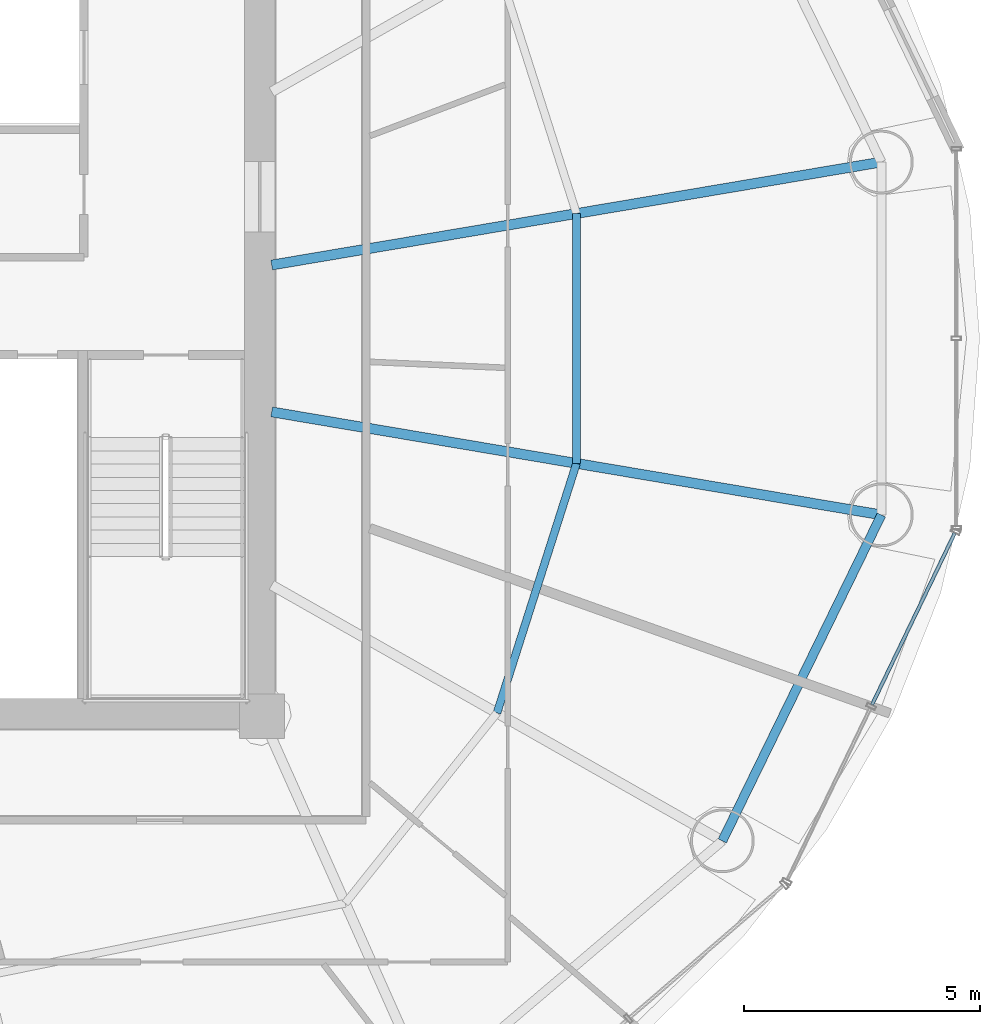
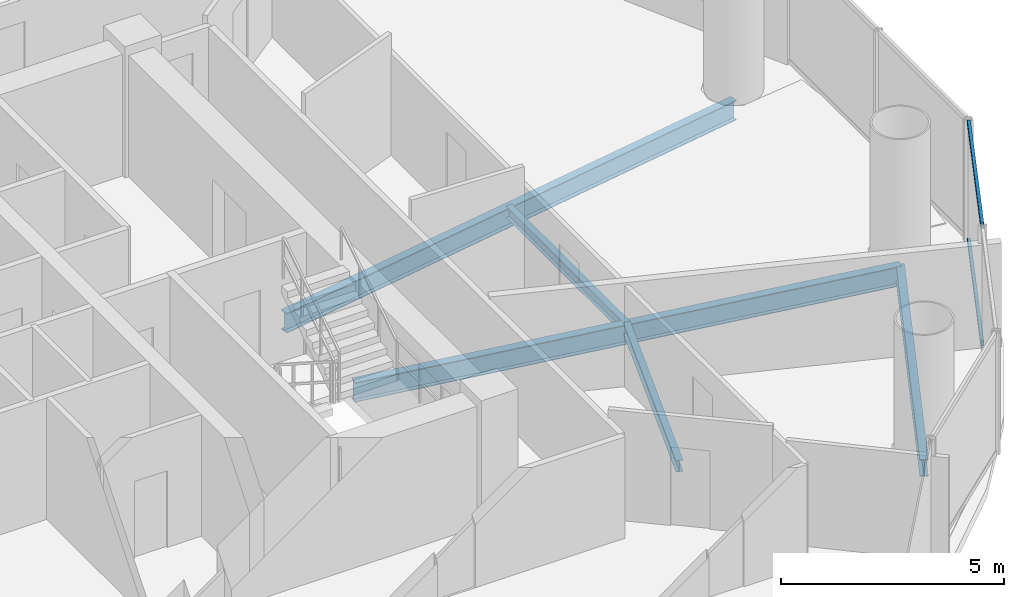
# One storey, part 11 of 26: 5 beams, 2 members, 1 element without a shape of its own.
"""IFC4 building model written with IfcOpenShell, lengths in metres."""

from ifc_helpers import new_model, si_unit, direction, frame, origin, origin_2d, place, context, subcontext, project, spatial, hollow_rectangle, i_section, extrude, source, transform, mapped, material, material_profile, profile_set, type_object, element, aggregate, save


model = new_model("IFC4")

# Units and contexts
model_context = context("Model", 3, precision=1e-05, world=origin(), true_north=direction((-0.2419218956, 0.970295726276)))
body_context = subcontext(model_context, "Body", "Model", "MODEL_VIEW")
ifc_project = project(units=[si_unit("LENGTHUNIT", "METRE"), si_unit("AREAUNIT", "SQUARE_METRE"), si_unit("VOLUMEUNIT", "CUBIC_METRE"), si_unit("PLANEANGLEUNIT", "RADIAN"), si_unit("MASSUNIT", "GRAM", prefix="KILO")], contexts=[model_context])

# Site, building, storey
site_placement = place(None, origin())
site = spatial("IfcSite", under=ifc_project, at=site_placement, CompositionType="ELEMENT")
building_placement = place(site_placement, origin())
building = spatial("IfcBuilding", under=site, at=building_placement, Name="Cobrevalo Terracotta Tower", CompositionType="ELEMENT")
storey_placement = place(building_placement, frame((0.0, 0.0, 178.60009765625)))
storey = spatial("IfcBuildingStorey", under=building, at=storey_placement, Name="L47", CompositionType="ELEMENT", Elevation=178.60009765625)

# Beams
ifc_material_1 = material(Name="Steel S355", Category="steel")
ifc_material_profile_1 = material_profile(ifc_material_1, i_section(OverallWidth=0.2109375, OverallDepth=0.5390625, WebThickness=0.01171875, FlangeThickness=0.018798828125, at=origin_2d()), Name="W 530x109")
ifc_profile_set_1 = profile_set([ifc_material_profile_1], Name="Steel S355")
beam_type_1 = type_object("IfcBeamType", Name="Structural Beam W 530x109 (Steel S355)", PredefinedType="BEAM", material=ifc_profile_set_1)
for number, where, z_axis, x_axis, name in (
    (1, (60.11669921875, 30.535888671875, -0.53955078125), (-0.986032794282, -0.166551279191, 0.0), (0.166551279191, -0.986032794282, 0.0), "L47 radial floor girder 01"),
    (2, (60.11669921875, 23.06396484375, -0.53955078125), (-0.986029732232, 0.166569406417, 0.0), (-0.166569406417, -0.986029732232, 0.0), "L47 radial floor girder 16"),
):
    element("IfcBeam", number, at=place(storey_placement, frame(where, z_axis=z_axis, x_axis=x_axis)), inside=storey, type_object=beam_type_1, Name=name, PredefinedType="BEAM", context=body_context, shape_type="SweptSolid", body=[
        extrude(i_section(OverallWidth=0.2109375, OverallDepth=0.5390625, WebThickness=0.01171875, FlangeThickness=0.018798828125, at=origin_2d()), origin(), (0.0, 0.0, 1.0), 13.094482421875),
    ])
ifc_material_profile_2 = material_profile(ifc_material_1, i_section(OverallWidth=0.1650390625, OverallDepth=0.31005859375, WebThickness=0.005859375, FlangeThickness=0.009765625, at=origin_2d()), Name="W 310x38.7")
ifc_profile_set_2 = profile_set([ifc_material_profile_2], Name="Steel S355")
beam_type_2 = type_object("IfcBeamType", Name="Structural Joist W 310x38.7 (Steel S355)", PredefinedType="JOIST", material=ifc_profile_set_2)
beam_1_placement = place(storey_placement, frame((51.977294921875, 18.868896484375, -0.425048828125), z_axis=(0.303497928386, 0.952832098255, 0.0), x_axis=(-0.952832098255, 0.303497928386, 0.0)))
element("IfcBeam", 3, at=beam_1_placement, inside=storey, type_object=beam_type_2, Name="L47 circumferential secondary floor joist 15", PredefinedType="JOIST", context=body_context, shape_type="SweptSolid", body=[
    extrude(i_section(OverallWidth=0.1650390625, OverallDepth=0.31005859375, WebThickness=0.005859375, FlangeThickness=0.009765625, at=origin_2d()), origin(), (0.0, 0.0, 1.0), 5.54736328125),
])
beam_2_placement = place(storey_placement, frame((53.660888671875, 24.154541015625, -0.425048828125), z_axis=(0.0, 1.0, 0.0), x_axis=(-1.0, 0.0, 0.0)))
element("IfcBeam", 4, at=beam_2_placement, inside=storey, type_object=beam_type_2, Name="L47 circumferential secondary floor joist 16", PredefinedType="JOIST", context=body_context, shape_type="SweptSolid", body=[
    extrude(i_section(OverallWidth=0.1650390625, OverallDepth=0.31005859375, WebThickness=0.005859375, FlangeThickness=0.009765625, at=origin_2d()), origin(), (0.0, 0.0, 1.0), 5.291015625),
])
ifc_material_profile_3 = material_profile(ifc_material_1, i_section(OverallWidth=0.194091796875, OverallDepth=0.468994140625, WebThickness=0.011474609375, FlangeThickness=0.0205078125, at=origin_2d()), Name="W 460x106")
ifc_profile_set_3 = profile_set([ifc_material_profile_3], Name="Steel S355")
beam_type_3 = type_object("IfcBeamType", Name="Structural Spandrel W 460x106 (Steel S355)", PredefinedType="SPANDREL", material=ifc_profile_set_3)
beam_3_placement = place(storey_placement, frame((56.749755859375, 16.160888671875, -0.504638671875), z_axis=(0.438380418332, 0.898789524206, 0.0), x_axis=(-0.898789524206, 0.438380418332, 0.0)))
element("IfcBeam", 5, at=beam_3_placement, inside=storey, type_object=beam_type_3, Name="L47 perimeter ring spandrel 15", PredefinedType="SPANDREL", context=body_context, shape_type="SweptSolid", body=[
    extrude(i_section(OverallWidth=0.194091796875, OverallDepth=0.468994140625, WebThickness=0.011474609375, FlangeThickness=0.0205078125, at=origin_2d()), origin(), (0.0, 0.0, 1.0), 7.680419921875),
])

# Curtain wall, members
ifc_material_2 = material(Name="Anodized aluminium", Category="aluminium")
curtain_wall_type = type_object("IfcCurtainWallType", Name="Mid-tower high-wind unitised curtain wall CW-U2", PredefinedType="NOTDEFINED", material=ifc_material_2)
curtain_wall_placement = place(storey_placement, origin())
curtain_wall = element("IfcCurtainWall", 6, at=curtain_wall_placement, inside=storey, type_object=curtain_wall_type, Name="L47 curtain wall CW-L47-S15", PredefinedType="NOTDEFINED")
ifc_material_profile_4 = material_profile(ifc_material_2, hollow_rectangle(XDim=0.074951171875, YDim=0.14990234375, WallThickness=0.00439453125, at=origin_2d()), Name="CWT 75x150")
ifc_profile_set_4 = profile_set([ifc_material_profile_4], Name="Anodized aluminium")
member_type = type_object("IfcMemberType", Name="Tower unitised aluminium transom 75x150", PredefinedType="USERDEFINED", material=ifc_profile_set_4)
shared_shape = source(origin(), body_context, "Body", "SweptSolid", [
    extrude(hollow_rectangle(XDim=0.074951171875, YDim=0.14990234375, WallThickness=0.00439453125, at=origin_2d()), origin(), (0.0, 0.0, 1.0), 4.035888671875),
])
member_1_placement = place(storey_placement, frame((59.91845703125, 19.04052734375, 0.0498046875), z_axis=(0.434221176581, 0.900806288726, 0.0), x_axis=(-0.900806288726, 0.434221176581, 0.0)))
member_1 = element("IfcMember", 7, at=member_1_placement, type_object=member_type, Name="CW-L47-S15 transom B02-T1", ObjectType="TRANSOM", PredefinedType="USERDEFINED", context=body_context, shape_type="MappedRepresentation", body=[
    mapped(shared_shape, transform((0.0, 0.0, 0.0), scale=1.0)),
])
member_2_placement = place(storey_placement, frame((59.91845703125, 19.04052734375, 3.27978515625), z_axis=(0.434221176581, 0.900806288726, 0.0), x_axis=(-0.900806288726, 0.434221176581, 0.0)))
member_2 = element("IfcMember", 8, at=member_2_placement, type_object=member_type, Name="CW-L47-S15 transom B02-T2", ObjectType="TRANSOM", PredefinedType="USERDEFINED", context=body_context, shape_type="MappedRepresentation", body=[
    mapped(shared_shape, transform((0.0, 0.0, 0.0), scale=1.0)),
])
aggregate(curtain_wall, [member_1, member_2])

save(model, "model.ifc")
